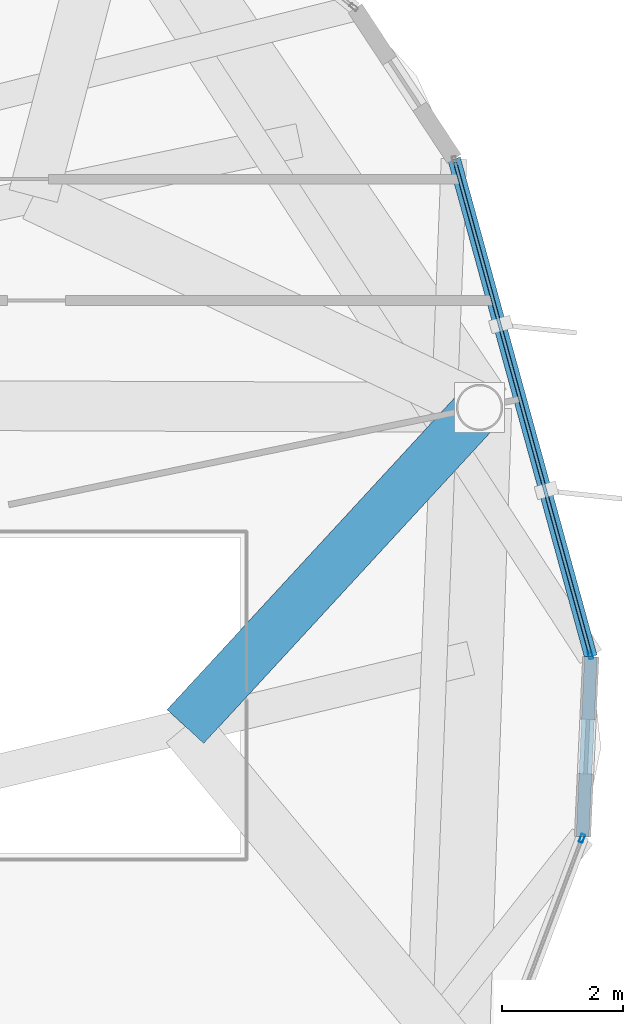
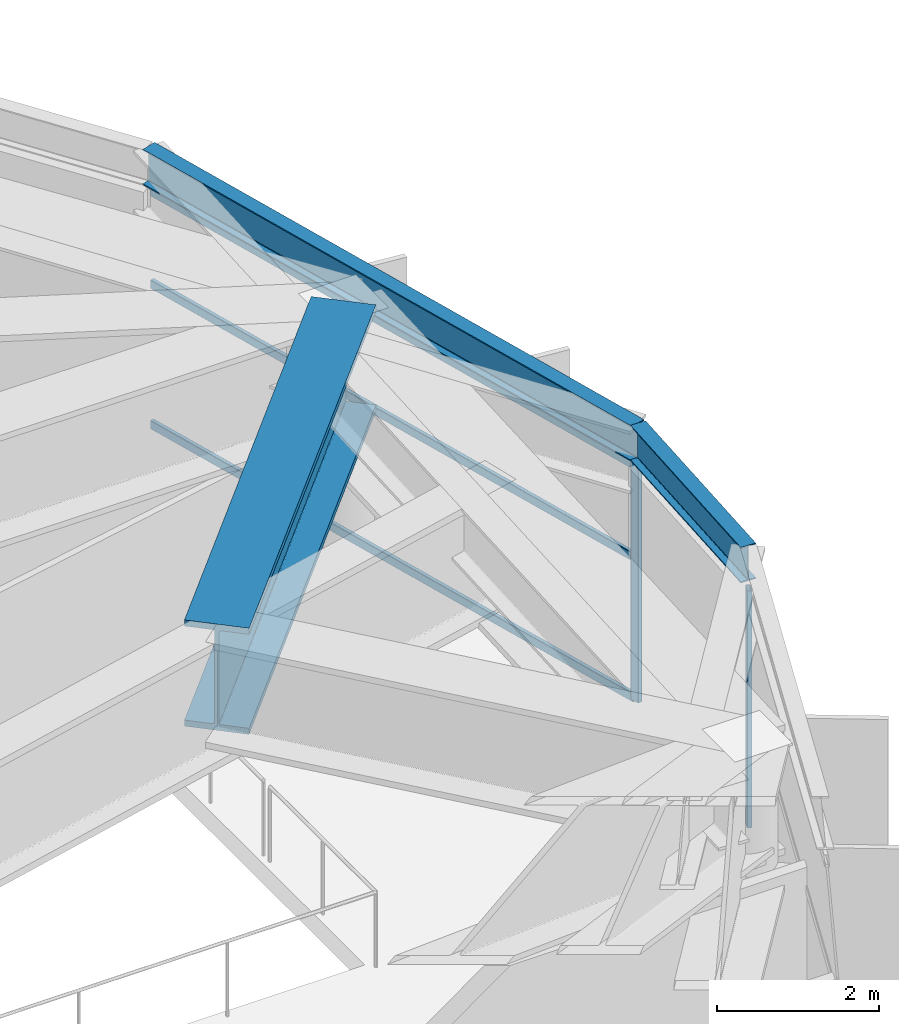
# One storey, part 16 of 27: 5 members, 3 beams, 2 elements without a shape of their own.
"""IFC4 building model written with IfcOpenShell, lengths in metres."""

import ifcopenshell
import ifcopenshell.guid

model = None  # the IFC model being written
_history = None  # IfcOwnerHistory: only IFC2X3 demands one
_inside = {}  # id of a spatial element -> (the spatial element, [elements in it])
_under = {}  # id of a project, library or spatial element -> (it, [spatial elements below it])
_declared = {}  # id of a project -> (the project, [libraries it declares])
_typed = {}  # id of a type object -> (the type object, [elements of that type])
_made_of = {}  # id of a material, layer set ... -> (it, [elements and type objects made of it])


def new_model(schema):
    """Start an empty IFC model of exactly this schema.

    Asked for "IFC4X3", IfcOpenShell would pick the latest addendum, in which some entities
    have other attributes; the version numbers below select the first issue.
    IFC2X3 requires an IfcOwnerHistory on every rooted entity: one is made here for all.
    """
    global model, _history
    if schema == "IFC4X3":
        model = ifcopenshell.file(schema_version=(4, 3, 0, 0))
    else:
        model = ifcopenshell.file(schema=schema)
    _inside.clear()
    _under.clear()
    _declared.clear()
    _typed.clear()
    _made_of.clear()
    _history = None
    if model.schema == "IFC2X3":
        org = make("IfcOrganization", Name="unknown")
        user = make(
            "IfcPersonAndOrganization",
            ThePerson=make("IfcPerson", FamilyName="unknown"),
            TheOrganization=org,
        )
        app = make(
            "IfcApplication",
            ApplicationDeveloper=org,
            Version="unknown",
            ApplicationFullName="unknown",
            ApplicationIdentifier="unknown",
        )
        _history = make(
            "IfcOwnerHistory",
            OwningUser=user,
            OwningApplication=app,
            ChangeAction="ADDED",
            CreationDate=0,
        )
    return model


def make(cls, **values):
    """One entity of the class cls with the attributes given. An attribute that is None is left unset."""
    return model.create_entity(
        cls, **{name: value for name, value in values.items() if value is not None}
    )


def rooted(cls, **values):
    """An entity with a GlobalId (a new one), such as an element, a storey or a relation."""
    return make(cls, GlobalId=ifcopenshell.guid.new(), OwnerHistory=_history, **values)


def si_unit(unit_type, name, prefix=None):
    """IfcSIUnit, for example si_unit("LENGTHUNIT", "METRE", prefix="MILLI")."""
    return make("IfcSIUnit", UnitType=unit_type, Prefix=prefix, Name=name)


def assignment(units):
    """IfcUnitAssignment: the units of a project."""
    return None if units is None else make("IfcUnitAssignment", Units=units)


def point(xyz):
    """IfcCartesianPoint."""
    return None if xyz is None else make("IfcCartesianPoint", Coordinates=xyz)


def direction(xyz):
    """IfcDirection."""
    return None if xyz is None else make("IfcDirection", DirectionRatios=xyz)


def frame(location, z_axis=None, x_axis=None):
    """IfcAxis2Placement3D, a coordinate frame: its origin and axes. An axis left out is left unset."""
    return make(
        "IfcAxis2Placement3D",
        Location=point(location),
        Axis=direction(z_axis),
        RefDirection=direction(x_axis),
    )


def frame_2d(location, x_axis=None):
    """IfcAxis2Placement2D, a coordinate frame in the plane: its origin and x axis."""
    return make(
        "IfcAxis2Placement2D", Location=point(location), RefDirection=direction(x_axis)
    )


def origin():
    """The frame at (0, 0, 0) with its axes left unset."""
    return frame((0.0, 0.0, 0.0))


def origin_2d():
    """The frame at (0, 0) in the plane with its x axis left unset."""
    return frame_2d((0.0, 0.0))


def place(relative_to, where):
    """IfcLocalPlacement: puts the frame where relative to a parent placement (None: the world)."""
    return make(
        "IfcLocalPlacement", PlacementRelTo=relative_to, RelativePlacement=where
    )


def context(
    kind, dimensions, precision=None, world=None, true_north=None, identifier=None
):
    """IfcGeometricRepresentationContext, for example the 3D "Model" context."""
    return make(
        "IfcGeometricRepresentationContext",
        ContextIdentifier=identifier,
        ContextType=kind,
        CoordinateSpaceDimension=dimensions,
        Precision=precision,
        WorldCoordinateSystem=world,
        TrueNorth=true_north,
    )


def subcontext(parent, identifier, kind, view, scale=None):
    """IfcGeometricRepresentationSubContext, for example "Body" below "Model"."""
    return make(
        "IfcGeometricRepresentationSubContext",
        ContextIdentifier=identifier,
        ContextType=kind,
        ParentContext=parent,
        TargetScale=scale,
        TargetView=view,
    )


def project(units=None, contexts=None):
    """IfcProject with its units and contexts."""
    return rooted(
        "IfcProject",
        Name="project",
        RepresentationContexts=contexts,
        UnitsInContext=assignment(units),
    )


def spatial(cls, under=None, at=None, **own):
    """A site, building, storey or space (cls), placed at a placement, below another one or the project."""
    s = rooted(cls, ObjectPlacement=at, **own)
    if under is not None:
        _under.setdefault(under.id(), (under, []))[1].append(s)
    return s


def profile(cls, at=None, kind="AREA", **sizes):
    """A parametric profile (cls). Its sizes go by their IFC names, for example OverallWidth=200.0."""
    return make(cls, ProfileType=kind, Position=at, **sizes)


def hollow_rectangle(**sizes):
    """IfcRectangleHollowProfileDef."""
    return profile("IfcRectangleHollowProfileDef", **sizes)


def i_section(**sizes):
    """IfcIShapeProfileDef."""
    return profile("IfcIShapeProfileDef", **sizes)


def extrude(swept, where, along, depth):
    """IfcExtrudedAreaSolid: the profile swept, set in the frame where, extruded along a direction by depth."""
    return make(
        "IfcExtrudedAreaSolid",
        SweptArea=swept,
        Position=where,
        ExtrudedDirection=direction(along),
        Depth=depth,
    )


def shape(context_of_items, identifier, shape_type, items):
    """IfcShapeRepresentation: the items that make up one representation, for example the "Body"."""
    return make(
        "IfcShapeRepresentation",
        ContextOfItems=context_of_items,
        RepresentationIdentifier=identifier,
        RepresentationType=shape_type,
        Items=items,
    )


def material(Name=None, Category=None):
    """IfcMaterial."""
    return make("IfcMaterial", Name=Name, Category=Category)


def layer(
    of_material, thickness, ventilated=None, Name=None, Category=None, Priority=None
):
    """IfcMaterialLayer: one layer of a wall or slab, of a material (None: an air gap)."""
    return make(
        "IfcMaterialLayer",
        Material=of_material,
        LayerThickness=thickness,
        IsVentilated=ventilated,
        Name=Name,
        Category=Category,
        Priority=Priority,
    )


def layer_set(layers, Name=None):
    """IfcMaterialLayerSet."""
    return make("IfcMaterialLayerSet", MaterialLayers=layers, LayerSetName=Name)


def material_profile(
    of_material, cross_section, Name=None, Category=None, Priority=None
):
    """IfcMaterialProfile: a cross section and its material."""
    return make(
        "IfcMaterialProfile",
        Name=Name,
        Material=of_material,
        Profile=cross_section,
        Priority=Priority,
        Category=Category,
    )


def profile_set(profiles, Name=None, composite=None):
    """IfcMaterialProfileSet."""
    return make(
        "IfcMaterialProfileSet",
        Name=Name,
        MaterialProfiles=profiles,
        CompositeProfile=composite,
    )


def made_of(thing, what):
    """Note that an element or type object is made of a material, layer set ...; save() writes the relation."""
    if what is not None:
        _made_of.setdefault(what.id(), (what, []))[1].append(thing)
    return thing


def type_object(cls, material=None, **own):
    """A type object (cls), such as IfcWallType, which elements share."""
    return made_of(rooted(cls, **own), material)


def element(
    cls,
    number,
    at=None,
    inside=None,
    cuts=None,
    type_object=None,
    material=None,
    context=None,
    identifier="Body",
    shape_type=None,
    held_by="IfcProductDefinitionShape",
    body=None,
    shapes=None,
    **own,
):
    """One element of the class cls, such as IfcWall. Its Tag is "e" and its number.

    at: its placement. inside: the storey or other place that contains it. cuts: it is an
    opening in that element (IfcRelVoidsElement). A single representation is given by context,
    identifier, shape_type and body (its items); several are given by shapes. held_by: the class
    of the entity that holds the representations. save() writes the other relations.
    """
    e = rooted(cls, Tag="e%d" % number, ObjectPlacement=at, **own)
    if body is not None:
        shapes = [shape(context, identifier, shape_type, body)]
    if shapes is not None:
        e.Representation = make(held_by, Representations=shapes)
    if inside is not None:
        _inside.setdefault(inside.id(), (inside, []))[1].append(e)
    if cuts is not None:
        rooted(
            "IfcRelVoidsElement", RelatingBuildingElement=cuts, RelatedOpeningElement=e
        )
    if type_object is not None:
        _typed.setdefault(type_object.id(), (type_object, []))[1].append(e)
    return made_of(e, material)


def aggregate(whole, parts):
    """IfcRelAggregates: a whole, such as a stair, and the parts it consists of."""
    return rooted("IfcRelAggregates", RelatingObject=whole, RelatedObjects=parts)


def save(model, path):
    """Write the relations noted so far, then the file.

    IfcRelAggregates (storeys below a building ...), IfcRelContainedInSpatialStructure (elements
    in a storey), IfcRelDefinesByType, IfcRelAssociatesMaterial and IfcRelDeclares: one each for
    every whole, place, type object, material and project.
    """
    for whole, parts in _under.values():
        aggregate(whole, parts)
    for where, things in _inside.values():
        rooted(
            "IfcRelContainedInSpatialStructure",
            RelatedElements=things,
            RelatingStructure=where,
        )
    for kind, things in _typed.values():
        rooted("IfcRelDefinesByType", RelatedObjects=things, RelatingType=kind)
    for what, things in _made_of.values():
        rooted("IfcRelAssociatesMaterial", RelatedObjects=things, RelatingMaterial=what)
    for by, libraries in _declared.values():
        rooted("IfcRelDeclares", RelatingContext=by, RelatedDefinitions=libraries)
    model.write(path)


model = new_model("IFC4")

# Units and contexts
model_context = context("Model", 3, precision=1e-05, world=origin(), true_north=direction((0.0, 1.0)))
body_context = subcontext(model_context, "Body", "Model", "MODEL_VIEW")
ifc_project = project(units=[si_unit("LENGTHUNIT", "METRE"), si_unit("AREAUNIT", "SQUARE_METRE"), si_unit("VOLUMEUNIT", "CUBIC_METRE"), si_unit("PLANEANGLEUNIT", "RADIAN"), si_unit("MASSUNIT", "GRAM", prefix="KILO")], contexts=[model_context])

# Site, building, storey
site_placement = place(None, origin())
site = spatial("IfcSite", under=ifc_project, at=site_placement, CompositionType="ELEMENT")
building_placement = place(site_placement, origin())
building = spatial("IfcBuilding", under=site, at=building_placement, Name="Soratama Intermodal Tower", CompositionType="ELEMENT")
storey_placement = place(building_placement, frame((0.0, 0.0, 288.550048828125)))
storey = spatial("IfcBuildingStorey", under=building, at=storey_placement, Name="L73", CompositionType="ELEMENT", Elevation=288.550048828125)

# Beams
ifc_material_1 = material(Name="Structural steel ASTM A992 Grade 50", Category="steel")
ifc_material_profile_1 = material_profile(ifc_material_1, i_section(OverallWidth=0.2099609375, OverallDepth=0.537109375, WebThickness=0.010986328125, FlangeThickness=0.017333984375, FilletRadius=0.012939453125, at=origin_2d()), Name="W21X68")
ifc_profile_set_1 = profile_set([ifc_material_profile_1], Name="Structural steel ASTM A992 Grade 50")
beam_type_1 = type_object("IfcBeamType", Name="BM-SPN-W21X68", PredefinedType="SPANDREL", material=ifc_profile_set_1)
beam_1_placement = place(storey_placement, frame((63.22998046875, 22.675048828125, 3.926513671875), z_axis=(0.046176793977, 0.998933282906, 0.0), x_axis=(-0.998933282906, 0.046176793977, 0.0)))
element("IfcBeam", 1, at=beam_1_placement, inside=storey, type_object=beam_type_1, Name="BS-L73-CRN08", PredefinedType="SPANDREL", context=body_context, shape_type="SweptSolid", body=[
    extrude(i_section(OverallWidth=0.2099609375, OverallDepth=0.537109375, WebThickness=0.010986328125, FlangeThickness=0.017333984375, FilletRadius=0.012939453125, at=origin_2d()), origin(), (0.0, 0.0, 1.0), 2.966064453125),
])
beam_2_placement = place(storey_placement, frame((63.366943359375, 25.637939453125, 3.926513671875), z_axis=(-0.264942179535, 0.964264300647, 0.0), x_axis=(-0.964264300647, -0.264942179535, 0.0)))
element("IfcBeam", 2, at=beam_2_placement, inside=storey, type_object=beam_type_1, Name="BS-L73-F09", PredefinedType="SPANDREL", context=body_context, shape_type="SweptSolid", body=[
    extrude(i_section(OverallWidth=0.2099609375, OverallDepth=0.537109375, WebThickness=0.010986328125, FlangeThickness=0.017333984375, FilletRadius=0.012939453125, at=origin_2d()), origin(), (0.0, 0.0, 1.0), 8.499755859375),
])
ifc_material_2 = material(Name="Structural steel ASTM A992 Grade 50", Category="steel")
ifc_material_profile_2 = material_profile(ifc_material_2, i_section(OverallWidth=0.820068359375, OverallDepth=1.60205078125, WebThickness=0.055908203125, FlangeThickness=0.092041015625, FilletRadius=0.02392578125, at=origin_2d()), Name="PG1600X650")
ifc_profile_set_2 = profile_set([ifc_material_profile_2], Name="Structural steel ASTM A992 Grade 50")
beam_type_2 = type_object("IfcBeamType", Name="BM-ZSTEP-PG1600", PredefinedType="BEAM", material=ifc_profile_set_2)
beam_3_placement = place(storey_placement, frame((56.69091796875, 24.487060546875, 3.39404296875), z_axis=(0.677770491404, 0.735273528003, 0.0), x_axis=(-0.735273528003, 0.677770491404, 0.0)))
element("IfcBeam", 3, at=beam_3_placement, inside=storey, type_object=beam_type_2, Name="BM-L73-ZSTEP-B10", PredefinedType="BEAM", context=body_context, shape_type="SweptSolid", body=[
    extrude(i_section(OverallWidth=0.820068359375, OverallDepth=1.60205078125, WebThickness=0.055908203125, FlangeThickness=0.092041015625, FilletRadius=0.02392578125, at=origin_2d()), origin(), (0.0, 0.0, 1.0), 7.1455078125),
])

# Curtain wall, member
ifc_material_3 = material(Name="Double-glazed aluminium curtain wall", Category="aluminium")
ifc_layer = layer(ifc_material_3, 0.159912109375)
ifc_layer_set = layer_set([ifc_layer], Name="Double-glazed aluminium curtain wall")
curtain_wall_type = type_object("IfcCurtainWallType", Name="CW-SYS-6", PredefinedType="NOTDEFINED", material=ifc_layer_set)
curtain_wall_1_placement = place(storey_placement, origin())
curtain_wall_1 = element("IfcCurtainWall", 4, at=curtain_wall_1_placement, inside=storey, type_object=curtain_wall_type, Name="L73 Faceted Curtain Wall F08", PredefinedType="NOTDEFINED")
ifc_material_4 = material(Name="Anodised aluminium AA 6063-T6", Category="aluminium")
ifc_material_profile_3 = material_profile(ifc_material_4, hollow_rectangle(XDim=0.06494140625, YDim=0.139892578125, WallThickness=0.0048828125, InnerFilletRadius=0.0048828125, OuterFilletRadius=0.010009765625, at=origin_2d()), Name="CWM140X65X5")
ifc_profile_set_3 = profile_set([ifc_material_profile_3], Name="Anodised aluminium AA 6063-T6")
member_type_1 = type_object("IfcMemberType", Name="MT-CWM-6", PredefinedType="MULLION", material=ifc_profile_set_3)
member_1_placement = place(storey_placement, frame((63.2197265625, 22.646484375, 0.0), z_axis=(0.0, 0.0, 1.0), x_axis=(-0.935812285902, 0.352498745466, 0.0)))
member_1 = element("IfcMember", 5, at=member_1_placement, type_object=member_type_1, Name="CW-6 mullion 2", PredefinedType="MULLION", context=body_context, shape_type="SweptSolid", body=[
    extrude(hollow_rectangle(XDim=0.06494140625, YDim=0.139892578125, WallThickness=0.0048828125, InnerFilletRadius=0.0048828125, OuterFilletRadius=0.010009765625, at=origin_2d()), origin(), (0.0, 0.0, 1.0), 3.573974609375),
])
aggregate(curtain_wall_1, [member_1])

# Curtain wall, members
curtain_wall_2_placement = place(storey_placement, origin())
curtain_wall_2 = element("IfcCurtainWall", 6, at=curtain_wall_2_placement, inside=storey, type_object=curtain_wall_type, Name="L73 Faceted Curtain Wall F09", PredefinedType="NOTDEFINED")
member_2_placement = place(storey_placement, frame((63.35888671875, 25.6669921875, 0.0), z_axis=(0.0, 0.0, 1.0), x_axis=(-0.964282204153, -0.264877010617, 0.0)))
member_2 = element("IfcMember", 7, at=member_2_placement, type_object=member_type_1, Name="CW-6 mullion 1", PredefinedType="MULLION", context=body_context, shape_type="SweptSolid", body=[
    extrude(hollow_rectangle(XDim=0.06494140625, YDim=0.139892578125, WallThickness=0.0048828125, InnerFilletRadius=0.0048828125, OuterFilletRadius=0.010009765625, at=origin_2d()), origin(), (0.0, 0.0, 1.0), 3.573974609375),
])
ifc_material_5 = material(Name="Anodised aluminium AA 6063-T6", Category="aluminium")
ifc_material_profile_4 = material_profile(ifc_material_5, hollow_rectangle(XDim=0.06005859375, YDim=0.1298828125, WallThickness=0.0048828125, InnerFilletRadius=0.0048828125, OuterFilletRadius=0.010009765625, at=origin_2d()), Name="CWT130X60X5")
ifc_profile_set_4 = profile_set([ifc_material_profile_4], Name="Anodised aluminium AA 6063-T6")
member_type_2 = type_object("IfcMemberType", Name="TT-CWT-2", PredefinedType="USERDEFINED", material=ifc_profile_set_4)
member_3_placement = place(storey_placement, frame((63.35107421875, 25.69580078125, 0.030029296875), z_axis=(-0.264886969814, 0.964279468423, 0.0), x_axis=(-0.964279468423, -0.264886969814, 0.0)))
member_3 = element("IfcMember", 8, at=member_3_placement, type_object=member_type_2, Name="CW-6 transom 1.1", ObjectType="TRANSOM", PredefinedType="USERDEFINED", context=body_context, shape_type="SweptSolid", body=[
    extrude(hollow_rectangle(XDim=0.06005859375, YDim=0.1298828125, WallThickness=0.0048828125, InnerFilletRadius=0.0048828125, OuterFilletRadius=0.010009765625, at=origin_2d()), origin(), (0.0, 0.0, 1.0), 8.3798828125),
])
member_4_placement = place(storey_placement, frame((63.35107421875, 25.69580078125, 2.14990234375), z_axis=(-0.264886969814, 0.964279468423, 0.0), x_axis=(-0.964279468423, -0.264886969814, 0.0)))
member_4 = element("IfcMember", 9, at=member_4_placement, type_object=member_type_2, Name="CW-6 transom 1.2", ObjectType="TRANSOM", PredefinedType="USERDEFINED", context=body_context, shape_type="SweptSolid", body=[
    extrude(hollow_rectangle(XDim=0.06005859375, YDim=0.1298828125, WallThickness=0.0048828125, InnerFilletRadius=0.0048828125, OuterFilletRadius=0.010009765625, at=origin_2d()), origin(), (0.0, 0.0, 1.0), 8.3798828125),
])
member_5_placement = place(storey_placement, frame((63.35107421875, 25.69580078125, 3.5439453125), z_axis=(-0.264886969814, 0.964279468423, 0.0), x_axis=(-0.964279468423, -0.264886969814, 0.0)))
member_5 = element("IfcMember", 10, at=member_5_placement, type_object=member_type_2, Name="CW-6 transom 1.3", ObjectType="TRANSOM", PredefinedType="USERDEFINED", context=body_context, shape_type="SweptSolid", body=[
    extrude(hollow_rectangle(XDim=0.06005859375, YDim=0.1298828125, WallThickness=0.0048828125, InnerFilletRadius=0.0048828125, OuterFilletRadius=0.010009765625, at=origin_2d()), origin(), (0.0, 0.0, 1.0), 8.3798828125),
])
aggregate(curtain_wall_2, [member_2, member_3, member_4, member_5])

save(model, "model.ifc")
